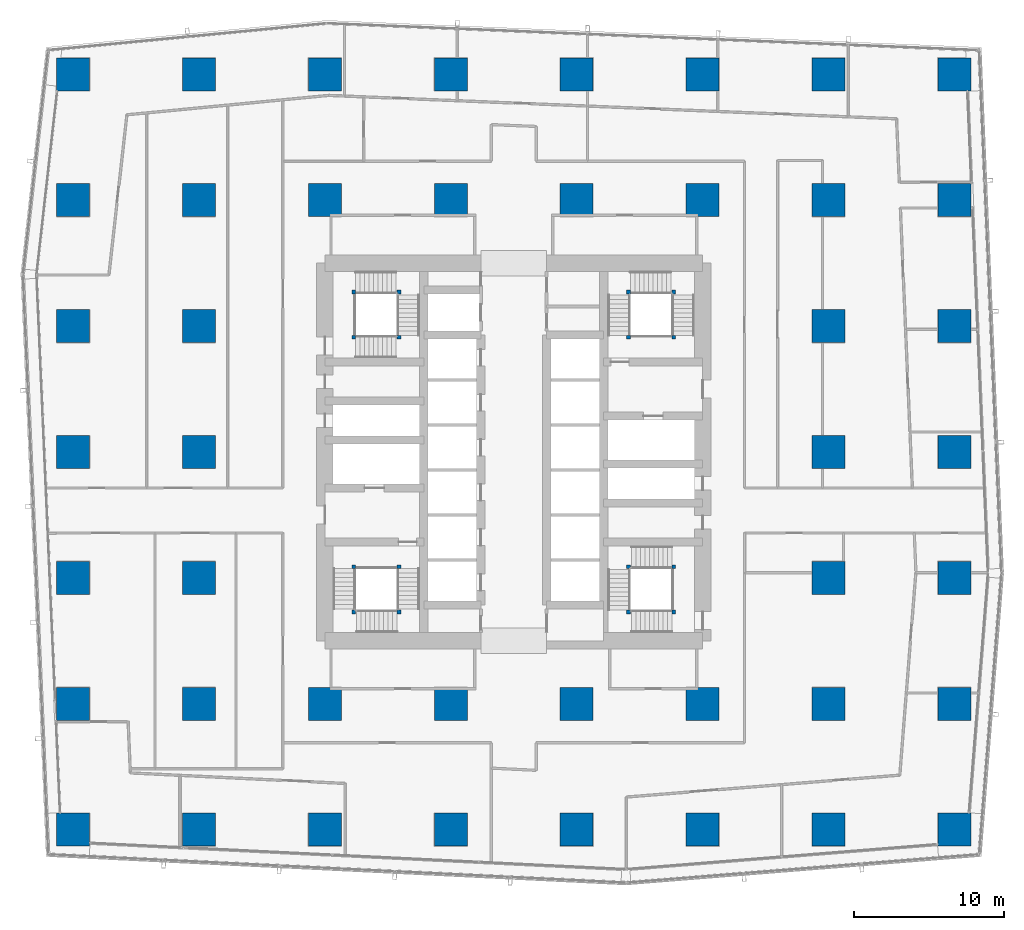
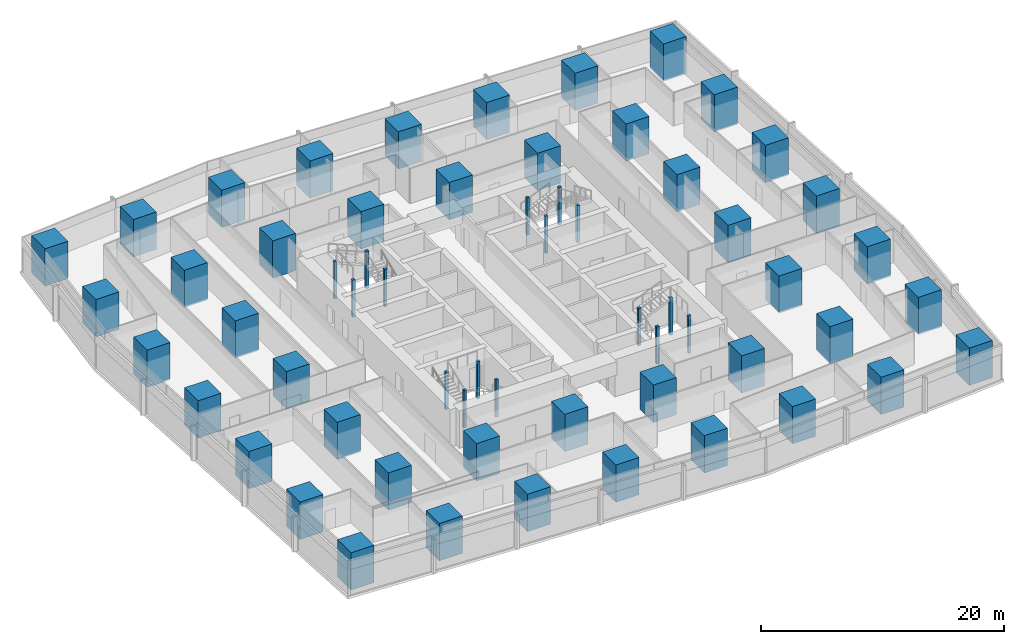
# One storey, part 1 of 44: 60 columns.
"""IFC4 building model written with IfcOpenShell, lengths in metres."""

from ifc_helpers import new_model, si_unit, direction, frame, origin, origin_2d, place, context, subcontext, project, spatial, rectangle, extrude, material, material_profile, profile_set, type_object, element, save


model = new_model("IFC4")

# Units and contexts
model_context = context("Model", 3, precision=1e-05, world=origin(), true_north=direction((0.0, 1.0)))
body_context = subcontext(model_context, "Body", "Model", "MODEL_VIEW")
ifc_project = project(units=[si_unit("LENGTHUNIT", "METRE"), si_unit("AREAUNIT", "SQUARE_METRE"), si_unit("VOLUMEUNIT", "CUBIC_METRE"), si_unit("PLANEANGLEUNIT", "RADIAN"), si_unit("MASSUNIT", "GRAM", prefix="KILO")], contexts=[model_context])

# Site, building, storey
site_placement = place(None, origin())
site = spatial("IfcSite", under=ifc_project, at=site_placement, CompositionType="ELEMENT")
building_placement = place(site_placement, origin())
building = spatial("IfcBuilding", under=site, at=building_placement, Name="Rekha Terrace Tower", CompositionType="ELEMENT")
storey_placement = place(building_placement, frame((0.0, 0.0, 47.89990234375)))
storey = spatial("IfcBuildingStorey", under=building, at=storey_placement, Name="L11", CompositionType="ELEMENT", Elevation=47.89990234375)

# Columns
ifc_material_1 = material(Name="Concrete M70", Category="concrete")
ifc_material_profile_1 = material_profile(ifc_material_1, rectangle(XDim=2.199951171875, YDim=2.199951171875, at=origin_2d()), Name="RC 2200x2200")
ifc_profile_set_1 = profile_set([ifc_material_profile_1], Name="Concrete M70")
column_type_1 = type_object("IfcColumnType", Name="C2 2200x2200 column", PredefinedType="COLUMN", material=ifc_profile_set_1)
for number, where, z_axis, x_axis, name in (
    (1, (8.39990234375, 8.39990234375, 0.0), (0.0, 0.0, 1.0), (1.0, 0.0, 0.0), "Column C2 2/B L11"),
    (2, (8.39990234375, 16.800048828125, 0.0), (0.0, 0.0, 1.0), (1.0, 0.0, 0.0), "Column C2 2/C L11"),
    (3, (8.39990234375, 25.199951171875, 0.0), (0.0, 0.0, 1.0), (1.0, 0.0, 0.0), "Column C2 2/D L11"),
    (4, (8.39990234375, 33.60009765625, 0.0), (0.0, 0.0, 1.0), (1.0, 0.0, 0.0), "Column C2 2/E L11"),
    (5, (8.39990234375, 42.0, 0.0), (0.0, 0.0, 1.0), (1.0, 0.0, 0.0), "Column C2 2/F L11"),
    (6, (8.39990234375, 50.39990234375, 0.0), (0.0, 0.0, 1.0), (1.0, 0.0, 0.0), "Column C2 2/G L11"),
    (7, (8.39990234375, 58.800048828125, 0.0), (0.0, 0.0, 1.0), (1.0, 0.0, 0.0), "Column C2 2/H L11"),
    (8, (16.800048828125, 8.39990234375, 0.0), (0.0, 0.0, 1.0), (1.0, 0.0, 0.0), "Column C2 3/B L11"),
    (9, (16.800048828125, 16.800048828125, 0.0), (0.0, 0.0, 1.0), (1.0, 0.0, 0.0), "Column C2 3/C L11"),
    (10, (16.800048828125, 25.199951171875, 0.0), (0.0, 0.0, 1.0), (1.0, 0.0, 0.0), "Column C2 3/D L11"),
    (11, (16.800048828125, 33.60009765625, 0.0), (0.0, 0.0, 1.0), (1.0, 0.0, 0.0), "Column C2 3/E L11"),
    (12, (16.800048828125, 42.0, 0.0), (0.0, 0.0, 1.0), (1.0, 0.0, 0.0), "Column C2 3/F L11"),
    (13, (16.800048828125, 50.39990234375, 0.0), (0.0, 0.0, 1.0), (1.0, 0.0, 0.0), "Column C2 3/G L11"),
    (14, (16.800048828125, 58.800048828125, 0.0), (0.0, 0.0, 1.0), (1.0, 0.0, 0.0), "Column C2 3/H L11"),
    (15, (25.199951171875, 8.39990234375, 0.0), (0.0, 0.0, 1.0), (1.0, 0.0, 0.0), "Column C2 4/B L11"),
    (16, (25.199951171875, 16.800048828125, 0.0), (0.0, 0.0, 1.0), (1.0, 0.0, 0.0), "Column C2 4/C L11"),
    (17, (25.199951171875, 50.39990234375, 0.0), (0.0, 0.0, 1.0), (1.0, 0.0, 0.0), "Column C2 4/G L11"),
    (18, (25.199951171875, 58.800048828125, 0.0), (0.0, 0.0, 1.0), (1.0, 0.0, 0.0), "Column C2 4/H L11"),
    (19, (33.60009765625, 8.39990234375, 0.0), (0.0, 0.0, 1.0), (1.0, 0.0, 0.0), "Column C2 5/B L11"),
    (20, (33.60009765625, 16.800048828125, 0.0), (0.0, 0.0, 1.0), (1.0, 0.0, 0.0), "Column C2 5/C L11"),
    (21, (33.60009765625, 50.39990234375, 0.0), (0.0, 0.0, 1.0), (1.0, 0.0, 0.0), "Column C2 5/G L11"),
    (22, (33.60009765625, 58.800048828125, 0.0), (0.0, 0.0, 1.0), (1.0, 0.0, 0.0), "Column C2 5/H L11"),
    (23, (42.0, 8.39990234375, 0.0), (0.0, 0.0, 1.0), (1.0, 0.0, 0.0), "Column C2 6/B L11"),
    (24, (42.0, 16.800048828125, 0.0), (0.0, 0.0, 1.0), (1.0, 0.0, 0.0), "Column C2 6/C L11"),
    (25, (42.0, 50.39990234375, 0.0), (0.0, 0.0, 1.0), (1.0, 0.0, 0.0), "Column C2 6/G L11"),
    (26, (42.0, 58.800048828125, 0.0), (0.0, 0.0, 1.0), (1.0, 0.0, 0.0), "Column C2 6/H L11"),
    (27, (50.39990234375, 8.39990234375, 0.0), (0.0, 0.0, 1.0), (1.0, 0.0, 0.0), "Column C2 7/B L11"),
    (28, (50.39990234375, 16.800048828125, 0.0), (0.0, 0.0, 1.0), (1.0, 0.0, 0.0), "Column C2 7/C L11"),
    (29, (50.39990234375, 50.39990234375, 0.0), (0.0, 0.0, 1.0), (1.0, 0.0, 0.0), "Column C2 7/G L11"),
    (30, (50.39990234375, 58.800048828125, 0.0), (0.0, 0.0, 1.0), (1.0, 0.0, 0.0), "Column C2 7/H L11"),
    (31, (58.800048828125, 8.39990234375, 0.0), (0.0, 0.0, 1.0), (1.0, 0.0, 0.0), "Column C2 8/B L11"),
    (32, (58.800048828125, 16.800048828125, 0.0), (0.0, 0.0, 1.0), (1.0, 0.0, 0.0), "Column C2 8/C L11"),
    (33, (58.800048828125, 25.199951171875, 0.0), (0.0, 0.0, 1.0), (1.0, 0.0, 0.0), "Column C2 8/D L11"),
    (34, (58.800048828125, 33.60009765625, 0.0), (0.0, 0.0, 1.0), (1.0, 0.0, 0.0), "Column C2 8/E L11"),
    (35, (58.800048828125, 42.0, 0.0), (0.0, 0.0, 1.0), (1.0, 0.0, 0.0), "Column C2 8/F L11"),
    (36, (58.800048828125, 50.39990234375, 0.0), (0.0, 0.0, 1.0), (1.0, 0.0, 0.0), "Column C2 8/G L11"),
    (37, (58.800048828125, 58.800048828125, 0.0), (0.0, 0.0, 1.0), (1.0, 0.0, 0.0), "Column C2 8/H L11"),
    (38, (67.199951171875, 8.39990234375, 0.0), (0.0, 0.0, 1.0), (1.0, 0.0, 0.0), "Column C2 9/B L11"),
    (39, (67.199951171875, 16.800048828125, 0.0), (0.0, 0.0, 1.0), (1.0, 0.0, 0.0), "Column C2 9/C L11"),
    (40, (67.199951171875, 25.199951171875, 0.0), (0.0, 0.0, 1.0), (1.0, 0.0, 0.0), "Column C2 9/D L11"),
    (41, (67.199951171875, 33.60009765625, 0.0), (0.0, 0.0, 1.0), (1.0, 0.0, 0.0), "Column C2 9/E L11"),
    (42, (67.199951171875, 42.0, 0.0), (0.0, 0.0, 1.0), (1.0, 0.0, 0.0), "Column C2 9/F L11"),
    (43, (67.199951171875, 50.39990234375, 0.0), (0.0, 0.0, 1.0), (1.0, 0.0, 0.0), "Column C2 9/G L11"),
    (44, (67.199951171875, 58.800048828125, 0.0), (0.0, 0.0, 1.0), (1.0, 0.0, 0.0), "Column C2 9/H L11"),
):
    element("IfcColumn", number, at=place(storey_placement, frame(where, z_axis=z_axis, x_axis=x_axis)), inside=storey, type_object=column_type_1, Name=name, PredefinedType="COLUMN", context=body_context, shape_type="SweptSolid", body=[
        extrude(rectangle(XDim=2.199951171875, YDim=2.199951171875, at=origin_2d()), origin(), (0.0, 0.0, 1.0), 3.75),
    ])
ifc_material_2 = material(Name="Concrete M60", Category="concrete")
ifc_material_profile_2 = material_profile(ifc_material_2, rectangle(XDim=0.25, YDim=0.25, at=origin_2d()), Name="RC 250x250")
ifc_profile_set_2 = profile_set([ifc_material_profile_2], Name="Concrete M60")
column_type_2 = type_object("IfcColumnType", Name="NP1 250x250 stair newel post", PredefinedType="COLUMN", material=ifc_profile_set_2)
for number, where, z_axis, x_axis, name in (
    (45, (30.14990234375, 25.949951171875, 0.0), (0.0, 0.0, 1.0), (1.0, 0.0, 0.0), "Stair newel post NP1"),
    (46, (30.14990234375, 22.925048828125, 0.0), (0.0, 0.0, 1.0), (1.0, 0.0, 0.0), "Stair newel post NP1"),
    (47, (27.125, 22.925048828125, 0.0), (0.0, 0.0, 1.0), (1.0, 0.0, 0.0), "Stair newel post NP1"),
    (48, (27.125, 25.949951171875, 0.0), (0.0, 0.0, 1.0), (1.0, 0.0, 0.0), "Stair newel post NP1"),
    (49, (45.449951171875, 41.25, 0.0), (0.0, 0.0, 1.0), (1.0, 0.0, 0.0), "Stair newel post NP1"),
    (50, (45.449951171875, 44.27490234375, 0.0), (0.0, 0.0, 1.0), (1.0, 0.0, 0.0), "Stair newel post NP1"),
    (51, (48.47509765625, 44.27490234375, 0.0), (0.0, 0.0, 1.0), (1.0, 0.0, 0.0), "Stair newel post NP1"),
    (52, (48.47509765625, 41.25, 0.0), (0.0, 0.0, 1.0), (1.0, 0.0, 0.0), "Stair newel post NP1"),
    (53, (48.47509765625, 22.925048828125, 0.0), (0.0, 0.0, 1.0), (1.0, 0.0, 0.0), "Stair newel post NP1"),
    (54, (45.449951171875, 22.925048828125, 0.0), (0.0, 0.0, 1.0), (1.0, 0.0, 0.0), "Stair newel post NP1"),
    (55, (45.449951171875, 25.949951171875, 0.0), (0.0, 0.0, 1.0), (1.0, 0.0, 0.0), "Stair newel post NP1"),
    (56, (48.47509765625, 25.949951171875, 0.0), (0.0, 0.0, 1.0), (1.0, 0.0, 0.0), "Stair newel post NP1"),
    (57, (27.125, 41.25, 0.0), (0.0, 0.0, 1.0), (1.0, 0.0, 0.0), "Stair newel post NP1"),
    (58, (30.14990234375, 41.25, 0.0), (0.0, 0.0, 1.0), (1.0, 0.0, 0.0), "Stair newel post NP1"),
    (59, (30.14990234375, 44.27490234375, 0.0), (0.0, 0.0, 1.0), (1.0, 0.0, 0.0), "Stair newel post NP1"),
    (60, (27.125, 44.27490234375, 0.0), (0.0, 0.0, 1.0), (1.0, 0.0, 0.0), "Stair newel post NP1"),
):
    element("IfcColumn", number, at=place(storey_placement, frame(where, z_axis=z_axis, x_axis=x_axis)), inside=storey, type_object=column_type_2, Name=name, PredefinedType="COLUMN", context=body_context, shape_type="SweptSolid", body=[
        extrude(rectangle(XDim=0.25, YDim=0.25, at=origin_2d()), origin(), (0.0, 0.0, 1.0), 3.75),
    ])

save(model, "model.ifc")
